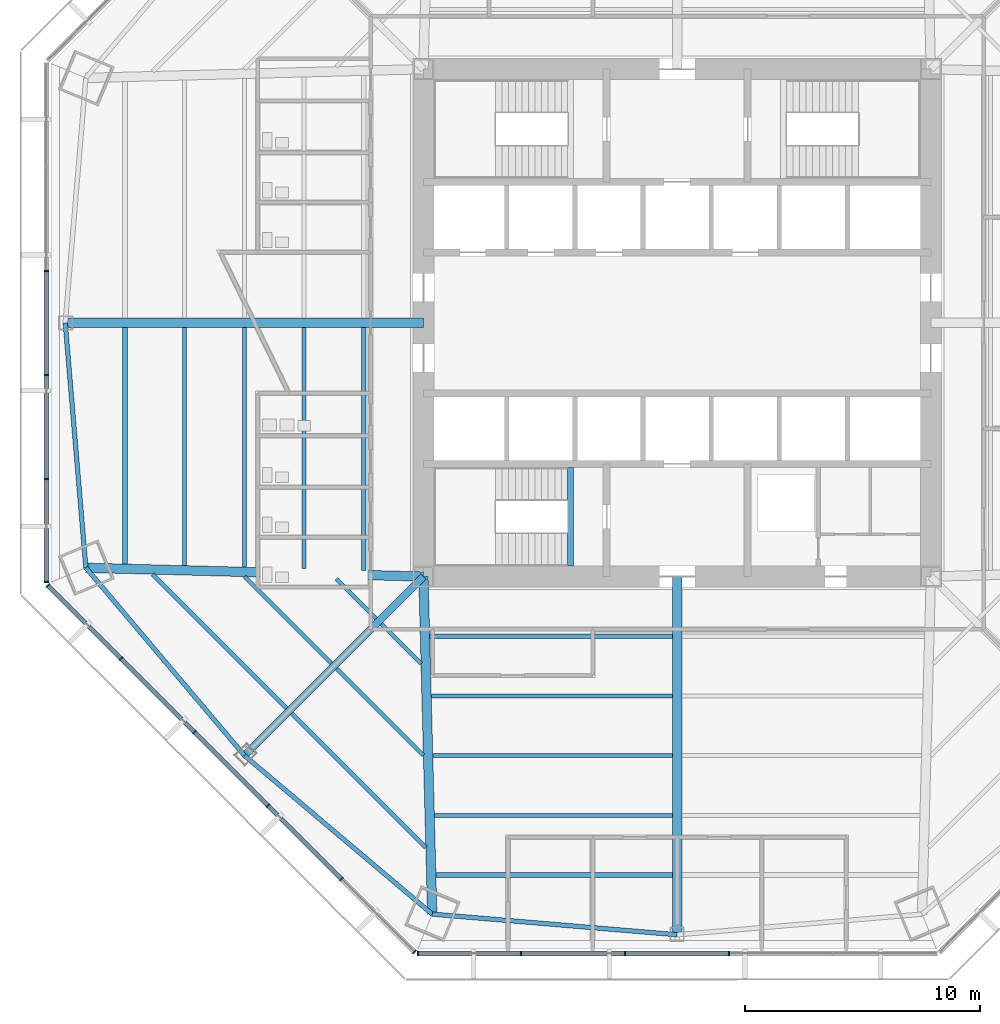
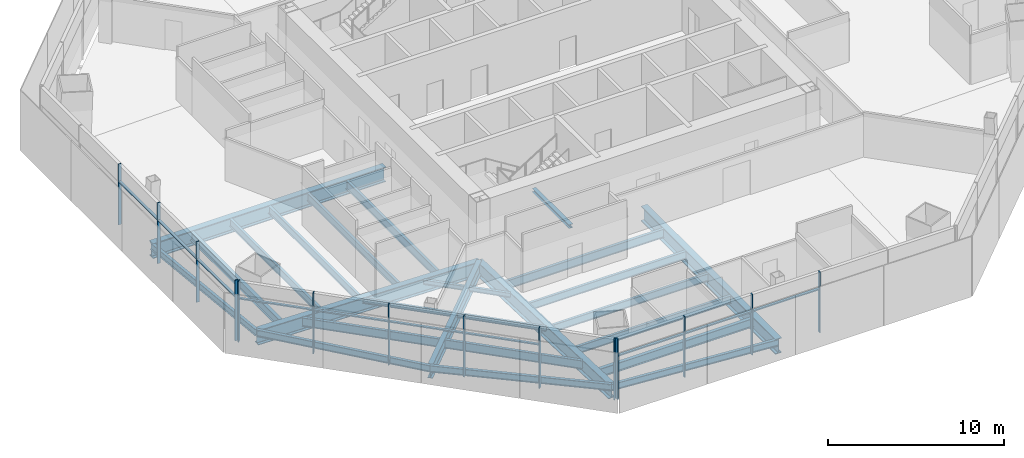
# One storey, part 2 of 14: 26 beams, 24 members, 3 elements without a shape of their own.
"""IFC4 building model written with IfcOpenShell, lengths in metres."""

from ifc_helpers import new_model, si_unit, direction, frame, origin, origin_2d, place, context, subcontext, project, spatial, rectangle, i_section, extrude, source, transform, mapped, material, material_profile, profile_set, type_object, type_shapes, element, aggregate, save


model = new_model("IFC4")

# Units and contexts
model_context = context("Model", 3, precision=1e-05, world=origin(), true_north=direction((0.0, 1.0)))
body_context = subcontext(model_context, "Body", "Model", "MODEL_VIEW")
ifc_project = project(units=[si_unit("LENGTHUNIT", "METRE"), si_unit("AREAUNIT", "SQUARE_METRE"), si_unit("VOLUMEUNIT", "CUBIC_METRE"), si_unit("PLANEANGLEUNIT", "RADIAN"), si_unit("MASSUNIT", "GRAM", prefix="KILO")], contexts=[model_context])

# Site, building, storey
site_placement = place(None, origin())
site = spatial("IfcSite", under=ifc_project, at=site_placement, CompositionType="ELEMENT")
building_placement = place(site_placement, origin())
building = spatial("IfcBuilding", under=site, at=building_placement, Name="Mashrafa Tower", CompositionType="ELEMENT")
storey_placement = place(building_placement, frame((0.0, 0.0, 41.39990234375)))
storey = spatial("IfcBuildingStorey", under=building, at=storey_placement, Name="L08", CompositionType="ELEMENT", Elevation=41.39990234375)

# Beams
ifc_material_1 = material(Name="Steel ASTM A992", Category="steel")
ifc_material_profile_1 = material_profile(ifc_material_1, i_section(OverallWidth=0.164794921875, OverallDepth=0.309814453125, WebThickness=0.005859375, FlangeThickness=0.009765625, FilletRadius=0.007568359375, at=origin_2d()), Name="W12X26")
ifc_profile_set_1 = profile_set([ifc_material_profile_1], Name="Steel ASTM A992")
beam_type_1 = type_object("IfcBeamType", Name="Beam W12X26", PredefinedType="BEAM", material=ifc_profile_set_1)
beam_1_placement = place(storey_placement, frame((-14.71826171875, -14.500732421875, -0.31982421875), z_axis=(-0.707106781187, 0.707106781187, 0.0), x_axis=(-0.707106781187, -0.707106781187, 0.0)))
element("IfcBeam", 1, at=beam_1_placement, inside=storey, type_object=beam_type_1, Name="Floor beam L08 014", PredefinedType="BEAM", context=body_context, shape_type="SweptSolid", body=[
    extrude(i_section(OverallWidth=0.164794921875, OverallDepth=0.309814453125, WebThickness=0.005859375, FlangeThickness=0.009765625, FilletRadius=0.007568359375, at=origin_2d()), origin(), (0.0, 0.0, 1.0), 5.230224609375),
])
for number, where, z_axis, x_axis, name in (
    (2, (-12.8134765625, -12.595947265625, -0.31982421875), (-0.707106781187, 0.707106781187, 0.0), (-0.707106781187, -0.707106781187, 0.0), "Floor beam L08 018"),
    (3, (-10.904296875, -14.505126953125, -0.31982421875), (-0.707106781187, 0.707106781187, 0.0), (-0.707106781187, -0.707106781187, 0.0), "Floor beam L08 021"),
):
    element("IfcBeam", number, at=place(storey_placement, frame(where, z_axis=z_axis, x_axis=x_axis)), inside=storey, type_object=beam_type_1, Name=name, PredefinedType="BEAM", context=body_context, shape_type="SweptSolid", body=[
        extrude(i_section(OverallWidth=0.164794921875, OverallDepth=0.309814453125, WebThickness=0.005859375, FlangeThickness=0.009765625, FilletRadius=0.007568359375, at=origin_2d()), origin(), (0.0, 0.0, 1.0), 2.392333984375),
    ])
beam_2_placement = place(storey_placement, frame((-10.802490234375, -18.41650390625, -0.31982421875), z_axis=(-0.707106781187, 0.707106781187, 0.0), x_axis=(-0.707106781187, -0.707106781187, 0.0)))
element("IfcBeam", 4, at=beam_2_placement, inside=storey, type_object=beam_type_1, Name="Floor beam L08 024", PredefinedType="BEAM", context=body_context, shape_type="SweptSolid", body=[
    extrude(i_section(OverallWidth=0.164794921875, OverallDepth=0.309814453125, WebThickness=0.005859375, FlangeThickness=0.009765625, FilletRadius=0.007568359375, at=origin_2d()), origin(), (0.0, 0.0, 1.0), 5.230224609375),
])
ifc_material_2 = material(Name="Steel ASTM A992", Category="steel")
ifc_material_profile_2 = material_profile(ifc_material_2, i_section(OverallWidth=0.191162109375, OverallDepth=0.459716796875, WebThickness=0.010009765625, FlangeThickness=0.01611328125, FilletRadius=0.01025390625, at=origin_2d()), Name="W18X55")
ifc_profile_set_2 = profile_set([ifc_material_profile_2], Name="Steel ASTM A992")
beam_type_2 = type_object("IfcBeamType", Name="Beam W18X55", PredefinedType="BEAM", material=ifc_profile_set_2)
for number, where, z_axis, x_axis, name in (
    (5, (-26.048095703125, 0.0, -0.394775390625), (0.083933762543, -0.996471336018, 0.0), (0.996471336018, 0.083933762543, 0.0), "Spandrel beam L08 081"),
    (6, (-25.169921875, -10.42578125, -0.394775390625), (0.645247408688, -0.763973678592, 0.0), (0.763973678592, 0.645247408688, 0.0), "Spandrel beam L08 082"),
    (7, (-18.4189453125, -18.4189453125, -0.394775390625), (0.763973678592, -0.645247408688, 0.0), (0.645247408688, 0.763973678592, 0.0), "Spandrel beam L08 084"),
    (8, (-10.42578125, -25.169921875, -0.394775390625), (0.996471336018, -0.083933762543, 0.0), (0.083933762543, 0.996471336018, 0.0), "Spandrel beam L08 086"),
):
    element("IfcBeam", number, at=place(storey_placement, frame(where, z_axis=z_axis, x_axis=x_axis)), inside=storey, type_object=beam_type_2, Name=name, PredefinedType="BEAM", context=body_context, shape_type="SweptSolid", body=[
        extrude(i_section(OverallWidth=0.191162109375, OverallDepth=0.459716796875, WebThickness=0.010009765625, FlangeThickness=0.01611328125, FilletRadius=0.01025390625, at=origin_2d()), origin(), (0.0, 0.0, 1.0), 10.462646484375),
    ])
ifc_material_3 = material(Name="Steel ASTM A992", Category="steel")
ifc_material_profile_3 = material_profile(ifc_material_3, i_section(OverallWidth=0.165771484375, OverallDepth=0.5283203125, WebThickness=0.009765625, FlangeThickness=0.013671875, FilletRadius=0.012939453125, at=origin_2d()), Name="W21X50")
ifc_profile_set_3 = profile_set([ifc_material_profile_3], Name="Steel ASTM A992")
beam_type_3 = type_object("IfcBeamType", Name="Beam W21X50", PredefinedType="BEAM", material=ifc_profile_set_3)
beam_3_placement = place(storey_placement, frame((-20.965576171875, -10.334716796875, -0.428955078125), z_axis=(0.0, 1.0, 0.0), x_axis=(-1.0, 0.0, 0.0)))
element("IfcBeam", 9, at=beam_3_placement, inside=storey, type_object=beam_type_3, Name="Floor beam L08 004", PredefinedType="BEAM", context=body_context, shape_type="SweptSolid", body=[
    extrude(i_section(OverallWidth=0.165771484375, OverallDepth=0.5283203125, WebThickness=0.009765625, FlangeThickness=0.013671875, FilletRadius=0.012939453125, at=origin_2d()), origin(), (0.0, 0.0, 1.0), 10.130126953125),
])
beam_4_placement = place(storey_placement, frame((-18.424072265625, -10.40087890625, -0.428955078125), z_axis=(0.0, 1.0, 0.0), x_axis=(-1.0, 0.0, 0.0)))
element("IfcBeam", 10, at=beam_4_placement, inside=storey, type_object=beam_type_3, Name="Floor beam L08 007", PredefinedType="BEAM", context=body_context, shape_type="SweptSolid", body=[
    extrude(i_section(OverallWidth=0.165771484375, OverallDepth=0.5283203125, WebThickness=0.009765625, FlangeThickness=0.013671875, FilletRadius=0.012939453125, at=origin_2d()), origin(), (0.0, 0.0, 1.0), 10.1962890625),
])
beam_5_placement = place(storey_placement, frame((-15.8828125, -10.466796875, -0.428955078125), z_axis=(0.0, 1.0, 0.0), x_axis=(-1.0, 0.0, 0.0)))
element("IfcBeam", 11, at=beam_5_placement, inside=storey, type_object=beam_type_3, Name="Floor beam L08 011", PredefinedType="BEAM", context=body_context, shape_type="SweptSolid", body=[
    extrude(i_section(OverallWidth=0.165771484375, OverallDepth=0.5283203125, WebThickness=0.009765625, FlangeThickness=0.013671875, FilletRadius=0.012939453125, at=origin_2d()), origin(), (0.0, 0.0, 1.0), 10.26220703125),
])
beam_6_placement = place(storey_placement, frame((-0.20458984375, -20.965576171875, -0.428955078125), z_axis=(-1.0, 0.0, 0.0), x_axis=(0.0, -1.0, 0.0)))
element("IfcBeam", 12, at=beam_6_placement, inside=storey, type_object=beam_type_3, Name="Floor beam L08 029", PredefinedType="BEAM", context=body_context, shape_type="SweptSolid", body=[
    extrude(i_section(OverallWidth=0.165771484375, OverallDepth=0.5283203125, WebThickness=0.009765625, FlangeThickness=0.013671875, FilletRadius=0.012939453125, at=origin_2d()), origin(), (0.0, 0.0, 1.0), 10.130126953125),
])
beam_7_placement = place(storey_placement, frame((-0.20458984375, -18.424072265625, -0.428955078125), z_axis=(-1.0, 0.0, 0.0), x_axis=(0.0, -1.0, 0.0)))
element("IfcBeam", 13, at=beam_7_placement, inside=storey, type_object=beam_type_3, Name="Floor beam L08 030", PredefinedType="BEAM", context=body_context, shape_type="SweptSolid", body=[
    extrude(i_section(OverallWidth=0.165771484375, OverallDepth=0.5283203125, WebThickness=0.009765625, FlangeThickness=0.013671875, FilletRadius=0.012939453125, at=origin_2d()), origin(), (0.0, 0.0, 1.0), 10.1962890625),
])
beam_8_placement = place(storey_placement, frame((-0.20458984375, -15.8828125, -0.428955078125), z_axis=(-1.0, 0.0, 0.0), x_axis=(0.0, -1.0, 0.0)))
element("IfcBeam", 14, at=beam_8_placement, inside=storey, type_object=beam_type_3, Name="Floor beam L08 031", PredefinedType="BEAM", context=body_context, shape_type="SweptSolid", body=[
    extrude(i_section(OverallWidth=0.165771484375, OverallDepth=0.5283203125, WebThickness=0.009765625, FlangeThickness=0.013671875, FilletRadius=0.012939453125, at=origin_2d()), origin(), (0.0, 0.0, 1.0), 10.26220703125),
])
ifc_material_4 = material(Name="Steel ASTM A992", Category="steel")
ifc_material_profile_4 = material_profile(ifc_material_4, i_section(OverallWidth=0.177978515625, OverallDepth=0.599365234375, WebThickness=0.010009765625, FlangeThickness=0.012939453125, FilletRadius=0.012939453125, at=origin_2d()), Name="W24X55")
ifc_profile_set_4 = profile_set([ifc_material_profile_4], Name="Steel ASTM A992")
beam_type_4 = type_object("IfcBeamType", Name="Beam W24X55", PredefinedType="BEAM", material=ifc_profile_set_4)
beam_9_placement = place(storey_placement, frame((-16.622802734375, -16.405517578125, -0.464599609375), z_axis=(-0.707106781187, 0.707106781187, 0.0), x_axis=(-0.707106781187, -0.707106781187, 0.0)))
element("IfcBeam", 15, at=beam_9_placement, inside=storey, type_object=beam_type_4, Name="Floor beam L08 009", PredefinedType="BEAM", context=body_context, shape_type="SweptSolid", body=[
    extrude(i_section(OverallWidth=0.177978515625, OverallDepth=0.599365234375, WebThickness=0.010009765625, FlangeThickness=0.012939453125, FilletRadius=0.012939453125, at=origin_2d()), origin(), (0.0, 0.0, 1.0), 8.068115234375),
])
beam_10_placement = place(storey_placement, frame((-13.34130859375, -10.533203125, -0.464599609375), z_axis=(0.0, 1.0, 0.0), x_axis=(-1.0, 0.0, 0.0)))
element("IfcBeam", 16, at=beam_10_placement, inside=storey, type_object=beam_type_4, Name="Floor beam L08 016", PredefinedType="BEAM", context=body_context, shape_type="SweptSolid", body=[
    extrude(i_section(OverallWidth=0.177978515625, OverallDepth=0.599365234375, WebThickness=0.010009765625, FlangeThickness=0.012939453125, FilletRadius=0.012939453125, at=origin_2d()), origin(), (0.0, 0.0, 1.0), 10.32861328125),
])
beam_11_placement = place(storey_placement, frame((-10.700439453125, -22.327880859375, -0.464599609375), z_axis=(-0.707106781187, 0.707106781187, 0.0), x_axis=(-0.707106781187, -0.707106781187, 0.0)))
element("IfcBeam", 17, at=beam_11_placement, inside=storey, type_object=beam_type_4, Name="Floor beam L08 026", PredefinedType="BEAM", context=body_context, shape_type="SweptSolid", body=[
    extrude(i_section(OverallWidth=0.177978515625, OverallDepth=0.599365234375, WebThickness=0.010009765625, FlangeThickness=0.012939453125, FilletRadius=0.012939453125, at=origin_2d()), origin(), (0.0, 0.0, 1.0), 8.068115234375),
])
beam_12_placement = place(storey_placement, frame((-0.20458984375, -13.34130859375, -0.464599609375), z_axis=(-1.0, 0.0, 0.0), x_axis=(0.0, -1.0, 0.0)))
element("IfcBeam", 18, at=beam_12_placement, inside=storey, type_object=beam_type_4, Name="Floor beam L08 032", PredefinedType="BEAM", context=body_context, shape_type="SweptSolid", body=[
    extrude(i_section(OverallWidth=0.177978515625, OverallDepth=0.599365234375, WebThickness=0.010009765625, FlangeThickness=0.012939453125, FilletRadius=0.012939453125, at=origin_2d()), origin(), (0.0, 0.0, 1.0), 10.32861328125),
])
ifc_material_5 = material(Name="Steel ASTM A992", Category="steel")
ifc_material_profile_5 = material_profile(ifc_material_5, i_section(OverallWidth=0.227783203125, OverallDepth=0.60205078125, WebThickness=0.010498046875, FlangeThickness=0.014892578125, FilletRadius=0.012939453125, at=origin_2d()), Name="W24X68")
ifc_profile_set_5 = profile_set([ifc_material_profile_5], Name="Steel ASTM A992")
beam_type_5 = type_object("IfcBeamType", Name="Beam W24X68", PredefinedType="BEAM", material=ifc_profile_set_5)
for number, where, z_axis, x_axis, name in (
    (19, (-23.5068359375, -10.268310546875, -0.4658203125), (0.0, 1.0, 0.0), (-1.0, 0.0, 0.0), "Floor beam L08 001"),
    (20, (-0.20458984375, -23.5068359375, -0.4658203125), (-1.0, 0.0, 0.0), (0.0, -1.0, 0.0), "Floor beam L08 028"),
):
    element("IfcBeam", number, at=place(storey_placement, frame(where, z_axis=z_axis, x_axis=x_axis)), inside=storey, type_object=beam_type_5, Name=name, PredefinedType="BEAM", context=body_context, shape_type="SweptSolid", body=[
        extrude(i_section(OverallWidth=0.227783203125, OverallDepth=0.60205078125, WebThickness=0.010498046875, FlangeThickness=0.014892578125, FilletRadius=0.012939453125, at=origin_2d()), origin(), (0.0, 0.0, 1.0), 10.063720703125),
    ])
ifc_material_6 = material(Name="Steel ASTM A992", Category="steel")
ifc_material_profile_6 = material_profile(ifc_material_6, i_section(OverallWidth=0.307373046875, OverallDepth=0.927001953125, WebThickness=0.01953125, FlangeThickness=0.031982421875, FilletRadius=0.01904296875, at=origin_2d()), Name="W36X194")
ifc_profile_set_6 = profile_set([ifc_material_profile_6], Name="Steel ASTM A992")
beam_type_6 = type_object("IfcBeamType", Name="Beam W36X194", PredefinedType="BEAM", material=ifc_profile_set_6)
beam_13_placement = place(storey_placement, frame((-10.800048828125, -10.800048828125, -0.62841796875), z_axis=(-0.707106781187, -0.707106781187, 0.0), x_axis=(0.707106781187, -0.707106781187, 0.0)))
element("IfcBeam", 21, at=beam_13_placement, inside=storey, type_object=beam_type_6, Name="Radial girder L08 066", PredefinedType="BEAM", context=body_context, shape_type="SweptSolid", body=[
    extrude(i_section(OverallWidth=0.307373046875, OverallDepth=0.927001953125, WebThickness=0.01953125, FlangeThickness=0.031982421875, FilletRadius=0.01904296875, at=origin_2d()), origin(), (0.0, 0.0, 1.0), 10.774658203125),
])
ifc_material_7 = material(Name="Steel ASTM A992", Category="steel")
ifc_material_profile_7 = material_profile(ifc_material_7, i_section(OverallWidth=0.4013671875, OverallDepth=1.010986328125, WebThickness=0.023681640625, FlangeThickness=0.0419921875, FilletRadius=0.02001953125, at=origin_2d()), Name="W40X297")
ifc_profile_set_7 = profile_set([ifc_material_profile_7], Name="Steel ASTM A992")
beam_type_7 = type_object("IfcBeamType", Name="Beam W40X297", PredefinedType="BEAM", material=ifc_profile_set_7)
for number, where, z_axis, x_axis, name in (
    (22, (-10.800048828125, -10.800048828125, -0.67041015625), (-0.999660993778, 0.02603646517, 0.0), (-0.02603646517, -0.999660993778, 0.0), "Radial girder L08 065"),
    (23, (-10.800048828125, -10.800048828125, -0.67041015625), (0.02603646517, -0.999660993778, 0.0), (0.999660993778, 0.02603646517, 0.0), "Radial girder L08 067"),
):
    element("IfcBeam", number, at=place(storey_placement, frame(where, z_axis=z_axis, x_axis=x_axis)), inside=storey, type_object=beam_type_7, Name=name, PredefinedType="BEAM", context=body_context, shape_type="SweptSolid", body=[
        extrude(i_section(OverallWidth=0.4013671875, OverallDepth=1.010986328125, WebThickness=0.023681640625, FlangeThickness=0.0419921875, FilletRadius=0.02001953125, at=origin_2d()), origin(), (0.0, 0.0, 1.0), 14.374755859375),
    ])
ifc_material_8 = material(Name="Steel ASTM A992", Category="steel")
ifc_material_profile_8 = material_profile(ifc_material_8, i_section(OverallWidth=0.408935546875, OverallDepth=1.04150390625, WebThickness=0.031005859375, FlangeThickness=0.055908203125, FilletRadius=0.020263671875, at=origin_2d()), Name="W40X397")
ifc_profile_set_8 = profile_set([ifc_material_profile_8], Name="Steel ASTM A992")
beam_type_8 = type_object("IfcBeamType", Name="Beam W40X397", PredefinedType="BEAM", material=ifc_profile_set_8)
for number, where, z_axis, x_axis, name in (
    (24, (-10.800048828125, 0.0, -0.685546875), (-1.0, 0.0, 0.0), (0.0, -1.0, 0.0), "Radial girder L08 068"),
    (25, (0.0, -10.800048828125, -0.685546875), (0.0, -1.0, 0.0), (1.0, 0.0, 0.0), "Radial girder L08 072"),
):
    element("IfcBeam", number, at=place(storey_placement, frame(where, z_axis=z_axis, x_axis=x_axis)), inside=storey, type_object=beam_type_8, Name=name, PredefinedType="BEAM", context=body_context, shape_type="SweptSolid", body=[
        extrude(i_section(OverallWidth=0.408935546875, OverallDepth=1.04150390625, WebThickness=0.031005859375, FlangeThickness=0.055908203125, FilletRadius=0.020263671875, at=origin_2d()), origin(), (0.0, 0.0, 1.0), 15.248046875),
    ])
ifc_material_9 = material(Name="Steel ASTM A992", Category="steel")
ifc_material_profile_9 = material_profile(ifc_material_9, i_section(OverallWidth=0.25390625, OverallDepth=0.25390625, WebThickness=0.008544921875, FlangeThickness=0.01416015625, FilletRadius=0.010009765625, at=origin_2d()), Name="W10X49")
ifc_profile_set_9 = profile_set([ifc_material_profile_9], Name="Steel ASTM A992")
beam_type_9 = type_object("IfcBeamType", Name="Hoistway beam W10X49", PredefinedType="BEAM", material=ifc_profile_set_9)
beam_14_placement = place(storey_placement, frame((-4.530029296875, -10.35009765625, -0.326904296875), z_axis=(0.0, 1.0, 0.0), x_axis=(-1.0, 0.0, 0.0)))
element("IfcBeam", 26, at=beam_14_placement, inside=storey, type_object=beam_type_9, Name="Stair S3 landing beam L08", PredefinedType="BEAM", context=body_context, shape_type="SweptSolid", body=[
    extrude(i_section(OverallWidth=0.25390625, OverallDepth=0.25390625, WebThickness=0.008544921875, FlangeThickness=0.01416015625, FilletRadius=0.010009765625, at=origin_2d()), origin(), (0.0, 0.0, 1.0), 4.2001953125),
])

# Curtain wall, members
ifc_material_10 = material(Name="Unitised aluminium curtain wall", Category="aluminium")
curtain_wall_type = type_object("IfcCurtainWallType", Name="Office curtain wall, zone 1 CW-A 200 deep", PredefinedType="NOTDEFINED", material=ifc_material_10)
curtain_wall_1_placement = place(storey_placement, origin())
curtain_wall_1 = element("IfcCurtainWall", 27, at=curtain_wall_1_placement, inside=storey, type_object=curtain_wall_type, Name="Office curtain wall, zone 1 L08 west", PredefinedType="NOTDEFINED")
ifc_material_11 = material(Name="Extruded aluminium mullion", Category="aluminium")
ifc_material_profile_10 = material_profile(ifc_material_11, rectangle(XDim=0.199951171875, YDim=0.06494140625, at=origin_2d()), Name="Mullion 65x200")
ifc_profile_set_10 = profile_set([ifc_material_profile_10], Name="Extruded aluminium mullion")
member_type_1 = type_object("IfcMemberType", Name="Mullion CW-A 65 x 200", PredefinedType="MULLION", material=ifc_profile_set_10)
shared_shape_1 = source(origin(), body_context, "Body", "SweptSolid", [
    extrude(rectangle(XDim=0.199951171875, YDim=0.06494140625, at=origin_2d()), origin(), (0.0, 0.0, 1.0), 4.2001953125),
])
type_shapes(member_type_1, [shared_shape_1])
member_1_placement = place(storey_placement, frame((-26.843505859375, 2.213623046875, 0.0), z_axis=(0.0, 0.0, 1.0), x_axis=(1.0, 0.0, 0.0)))
member_1 = element("IfcMember", 28, at=member_1_placement, type_object=member_type_1, Name="CW-A mullion 3", PredefinedType="MULLION", context=body_context, shape_type="MappedRepresentation", body=[
    mapped(shared_shape_1, transform((0.0, 0.0, 0.0))),
])
member_2_placement = place(storey_placement, frame((-26.843505859375, -2.213623046875, 0.0), z_axis=(0.0, 0.0, 1.0), x_axis=(1.0, 0.0, 0.0)))
member_2 = element("IfcMember", 29, at=member_2_placement, type_object=member_type_1, Name="CW-A mullion 4", PredefinedType="MULLION", context=body_context, shape_type="MappedRepresentation", body=[
    mapped(shared_shape_1, transform((0.0, 0.0, 0.0))),
])
member_3_placement = place(storey_placement, frame((-26.843505859375, -6.640625, 0.0), z_axis=(0.0, 0.0, 1.0), x_axis=(1.0, 0.0, 0.0)))
member_3 = element("IfcMember", 30, at=member_3_placement, type_object=member_type_1, Name="CW-A mullion 5", PredefinedType="MULLION", context=body_context, shape_type="MappedRepresentation", body=[
    mapped(shared_shape_1, transform((0.0, 0.0, 0.0))),
])
member_4_placement = place(storey_placement, frame((-26.843505859375, -11.03515625, 0.0), z_axis=(0.0, 0.0, 1.0), x_axis=(1.0, 0.0, 0.0)))
member_4 = element("IfcMember", 31, at=member_4_placement, type_object=member_type_1, Name="CW-A mullion 6", PredefinedType="MULLION", context=body_context, shape_type="MappedRepresentation", body=[
    mapped(shared_shape_1, transform((0.0, 0.0, 0.0))),
])

curtain_wall_2_placement = place(storey_placement, origin())
curtain_wall_2 = element("IfcCurtainWall", 32, at=curtain_wall_2_placement, inside=storey, type_object=curtain_wall_type, Name="Office curtain wall, zone 1 L08 south-west", PredefinedType="NOTDEFINED")
member_5_placement = place(storey_placement, frame((-26.7841796875, -11.17822265625, 0.0), z_axis=(0.0, 0.0, 1.0), x_axis=(0.707106781187, 0.707106781187, 0.0)))
member_5 = element("IfcMember", 33, at=member_5_placement, type_object=member_type_1, Name="CW-A mullion 1", PredefinedType="MULLION", context=body_context, shape_type="MappedRepresentation", body=[
    mapped(shared_shape_1, transform((0.0, 0.0, 0.0))),
])
member_6_placement = place(storey_placement, frame((-23.6767578125, -14.28564453125, 0.0), z_axis=(0.0, 0.0, 1.0), x_axis=(0.707106781187, 0.707106781187, 0.0)))
member_6 = element("IfcMember", 34, at=member_6_placement, type_object=member_type_1, Name="CW-A mullion 2", PredefinedType="MULLION", context=body_context, shape_type="MappedRepresentation", body=[
    mapped(shared_shape_1, transform((0.0, 0.0, 0.0))),
])
member_7_placement = place(storey_placement, frame((-20.54638671875, -17.416015625, 0.0), z_axis=(0.0, 0.0, 1.0), x_axis=(0.707106781187, 0.707106781187, 0.0)))
member_7 = element("IfcMember", 35, at=member_7_placement, type_object=member_type_1, Name="CW-A mullion 3", PredefinedType="MULLION", context=body_context, shape_type="MappedRepresentation", body=[
    mapped(shared_shape_1, transform((0.0, 0.0, 0.0))),
])
member_8_placement = place(storey_placement, frame((-17.416015625, -20.54638671875, 0.0), z_axis=(0.0, 0.0, 1.0), x_axis=(0.707106781187, 0.707106781187, 0.0)))
member_8 = element("IfcMember", 36, at=member_8_placement, type_object=member_type_1, Name="CW-A mullion 4", PredefinedType="MULLION", context=body_context, shape_type="MappedRepresentation", body=[
    mapped(shared_shape_1, transform((0.0, 0.0, 0.0))),
])
member_9_placement = place(storey_placement, frame((-14.28564453125, -23.6767578125, 0.0), z_axis=(0.0, 0.0, 1.0), x_axis=(0.707106781187, 0.707106781187, 0.0)))
member_9 = element("IfcMember", 37, at=member_9_placement, type_object=member_type_1, Name="CW-A mullion 5", PredefinedType="MULLION", context=body_context, shape_type="MappedRepresentation", body=[
    mapped(shared_shape_1, transform((0.0, 0.0, 0.0))),
])
member_10_placement = place(storey_placement, frame((-11.17822265625, -26.7841796875, 0.0), z_axis=(0.0, 0.0, 1.0), x_axis=(0.707106781187, 0.707106781187, 0.0)))
member_10 = element("IfcMember", 38, at=member_10_placement, type_object=member_type_1, Name="CW-A mullion 6", PredefinedType="MULLION", context=body_context, shape_type="MappedRepresentation", body=[
    mapped(shared_shape_1, transform((0.0, 0.0, 0.0))),
])

curtain_wall_3_placement = place(storey_placement, origin())
curtain_wall_3 = element("IfcCurtainWall", 39, at=curtain_wall_3_placement, inside=storey, type_object=curtain_wall_type, Name="Office curtain wall, zone 1 L08 south", PredefinedType="NOTDEFINED")
member_11_placement = place(storey_placement, frame((-11.03515625, -26.843505859375, 0.0), z_axis=(0.0, 0.0, 1.0), x_axis=(0.0, 1.0, 0.0)))
member_11 = element("IfcMember", 40, at=member_11_placement, type_object=member_type_1, Name="CW-A mullion 1", PredefinedType="MULLION", context=body_context, shape_type="MappedRepresentation", body=[
    mapped(shared_shape_1, transform((0.0, 0.0, 0.0))),
])
member_12_placement = place(storey_placement, frame((-6.640625, -26.843505859375, 0.0), z_axis=(0.0, 0.0, 1.0), x_axis=(0.0, 1.0, 0.0)))
member_12 = element("IfcMember", 41, at=member_12_placement, type_object=member_type_1, Name="CW-A mullion 2", PredefinedType="MULLION", context=body_context, shape_type="MappedRepresentation", body=[
    mapped(shared_shape_1, transform((0.0, 0.0, 0.0))),
])
member_13_placement = place(storey_placement, frame((-2.213623046875, -26.843505859375, 0.0), z_axis=(0.0, 0.0, 1.0), x_axis=(0.0, 1.0, 0.0)))
member_13 = element("IfcMember", 42, at=member_13_placement, type_object=member_type_1, Name="CW-A mullion 3", PredefinedType="MULLION", context=body_context, shape_type="MappedRepresentation", body=[
    mapped(shared_shape_1, transform((0.0, 0.0, 0.0))),
])
member_14_placement = place(storey_placement, frame((2.213623046875, -26.843505859375, 0.0), z_axis=(0.0, 0.0, 1.0), x_axis=(0.0, 1.0, 0.0)))
member_14 = element("IfcMember", 43, at=member_14_placement, type_object=member_type_1, Name="CW-A mullion 4", PredefinedType="MULLION", context=body_context, shape_type="MappedRepresentation", body=[
    mapped(shared_shape_1, transform((0.0, 0.0, 0.0))),
])

# Member
ifc_material_12 = material(Name="Extruded aluminium transom", Category="aluminium")
ifc_material_profile_11 = material_profile(ifc_material_12, rectangle(XDim=0.159912109375, YDim=0.080078125, at=origin_2d()), Name="Transom 80x160")
ifc_profile_set_11 = profile_set([ifc_material_profile_11], Name="Extruded aluminium transom")
member_type_2 = type_object("IfcMemberType", Name="Transom CW-A 80 x 160", PredefinedType="MULLION", material=ifc_profile_set_11)
shared_shape_2 = source(origin(), body_context, "Body", "SweptSolid", [
    extrude(rectangle(XDim=0.159912109375, YDim=0.080078125, at=origin_2d()), origin(), (0.0, 0.0, 1.0), 4.329345703125),
])
member_15_placement = place(storey_placement, frame((-26.843505859375, -6.673095703125, 3.0), z_axis=(0.0, -1.0, 0.0), x_axis=(1.0, 0.0, 0.0)))
member_15 = element("IfcMember", 44, at=member_15_placement, type_object=member_type_2, Name="CW-A transom 5", PredefinedType="MULLION", context=body_context, shape_type="MappedRepresentation", body=[
    mapped(shared_shape_2, transform((0.0, 0.0, 0.0))),
])

member_16_placement = place(storey_placement, frame((-11.00244140625, -26.843505859375, 3.0), z_axis=(1.0, 0.0, 0.0), x_axis=(0.0, 1.0, 0.0)))
member_16 = element("IfcMember", 45, at=member_16_placement, type_object=member_type_2, Name="CW-A transom 1", PredefinedType="MULLION", context=body_context, shape_type="MappedRepresentation", body=[
    mapped(shared_shape_2, transform((0.0, 0.0, 0.0))),
])

shared_shape_3 = source(origin(), body_context, "Body", "SweptSolid", [
    extrude(rectangle(XDim=0.159912109375, YDim=0.080078125, at=origin_2d()), origin(), (0.0, 0.0, 1.0), 4.36181640625),
])
member_17_placement = place(storey_placement, frame((-26.843505859375, 2.180908203125, 3.0), z_axis=(0.0, -1.0, 0.0), x_axis=(1.0, 0.0, 0.0)))
member_17 = element("IfcMember", 46, at=member_17_placement, type_object=member_type_2, Name="CW-A transom 3", PredefinedType="MULLION", context=body_context, shape_type="MappedRepresentation", body=[
    mapped(shared_shape_3, transform((0.0, 0.0, 0.0))),
])

member_18_placement = place(storey_placement, frame((-26.843505859375, -2.24609375, 3.0), z_axis=(0.0, -1.0, 0.0), x_axis=(1.0, 0.0, 0.0)))
member_18 = element("IfcMember", 47, at=member_18_placement, type_object=member_type_2, Name="CW-A transom 4", PredefinedType="MULLION", context=body_context, shape_type="MappedRepresentation", body=[
    mapped(shared_shape_3, transform((0.0, 0.0, 0.0))),
])

aggregate(curtain_wall_1, [member_1, member_2, member_3, member_4, member_17, member_18, member_15])

member_19_placement = place(storey_placement, frame((-6.60791015625, -26.843505859375, 3.0), z_axis=(1.0, 0.0, 0.0), x_axis=(0.0, 1.0, 0.0)))
member_19 = element("IfcMember", 48, at=member_19_placement, type_object=member_type_2, Name="CW-A transom 2", PredefinedType="MULLION", context=body_context, shape_type="MappedRepresentation", body=[
    mapped(shared_shape_3, transform((0.0, 0.0, 0.0))),
])

member_20_placement = place(storey_placement, frame((-2.180908203125, -26.843505859375, 3.0), z_axis=(1.0, 0.0, 0.0), x_axis=(0.0, 1.0, 0.0)))
member_20 = element("IfcMember", 49, at=member_20_placement, type_object=member_type_2, Name="CW-A transom 3", PredefinedType="MULLION", context=body_context, shape_type="MappedRepresentation", body=[
    mapped(shared_shape_3, transform((0.0, 0.0, 0.0))),
])

aggregate(curtain_wall_3, [member_11, member_12, member_13, member_14, member_16, member_19, member_20])

shared_shape_4 = source(origin(), body_context, "Body", "SweptSolid", [
    extrude(rectangle(XDim=0.159912109375, YDim=0.080078125, at=origin_2d()), origin(), (0.0, 0.0, 1.0), 4.32958984375),
])
member_21_placement = place(storey_placement, frame((-26.76123046875, -11.201171875, 3.0), z_axis=(0.707106781187, -0.707106781187, 0.0), x_axis=(0.707106781187, 0.707106781187, 0.0)))
member_21 = element("IfcMember", 50, at=member_21_placement, type_object=member_type_2, Name="CW-A transom 1", PredefinedType="MULLION", context=body_context, shape_type="MappedRepresentation", body=[
    mapped(shared_shape_4, transform((0.0, 0.0, 0.0))),
])

shared_shape_5 = source(origin(), body_context, "Body", "SweptSolid", [
    extrude(rectangle(XDim=0.159912109375, YDim=0.080078125, at=origin_2d()), origin(), (0.0, 0.0, 1.0), 4.362060546875),
])
type_shapes(member_type_2, [shared_shape_2, shared_shape_3, shared_shape_4, shared_shape_5])
member_22_placement = place(storey_placement, frame((-23.65380859375, -14.30859375, 3.0), z_axis=(0.707106781187, -0.707106781187, 0.0), x_axis=(0.707106781187, 0.707106781187, 0.0)))
member_22 = element("IfcMember", 51, at=member_22_placement, type_object=member_type_2, Name="CW-A transom 2", PredefinedType="MULLION", context=body_context, shape_type="MappedRepresentation", body=[
    mapped(shared_shape_5, transform((0.0, 0.0, 0.0))),
])

member_23_placement = place(storey_placement, frame((-20.5234375, -17.43896484375, 3.0), z_axis=(0.707106781187, -0.707106781187, 0.0), x_axis=(0.707106781187, 0.707106781187, 0.0)))
member_23 = element("IfcMember", 52, at=member_23_placement, type_object=member_type_2, Name="CW-A transom 3", PredefinedType="MULLION", context=body_context, shape_type="MappedRepresentation", body=[
    mapped(shared_shape_5, transform((0.0, 0.0, 0.0))),
])

member_24_placement = place(storey_placement, frame((-17.39306640625, -20.5693359375, 3.0), z_axis=(0.707106781187, -0.707106781187, 0.0), x_axis=(0.707106781187, 0.707106781187, 0.0)))
member_24 = element("IfcMember", 53, at=member_24_placement, type_object=member_type_2, Name="CW-A transom 4", PredefinedType="MULLION", context=body_context, shape_type="MappedRepresentation", body=[
    mapped(shared_shape_5, transform((0.0, 0.0, 0.0))),
])

aggregate(curtain_wall_2, [member_5, member_6, member_7, member_8, member_9, member_10, member_21, member_22, member_23, member_24])

save(model, "model.ifc")
